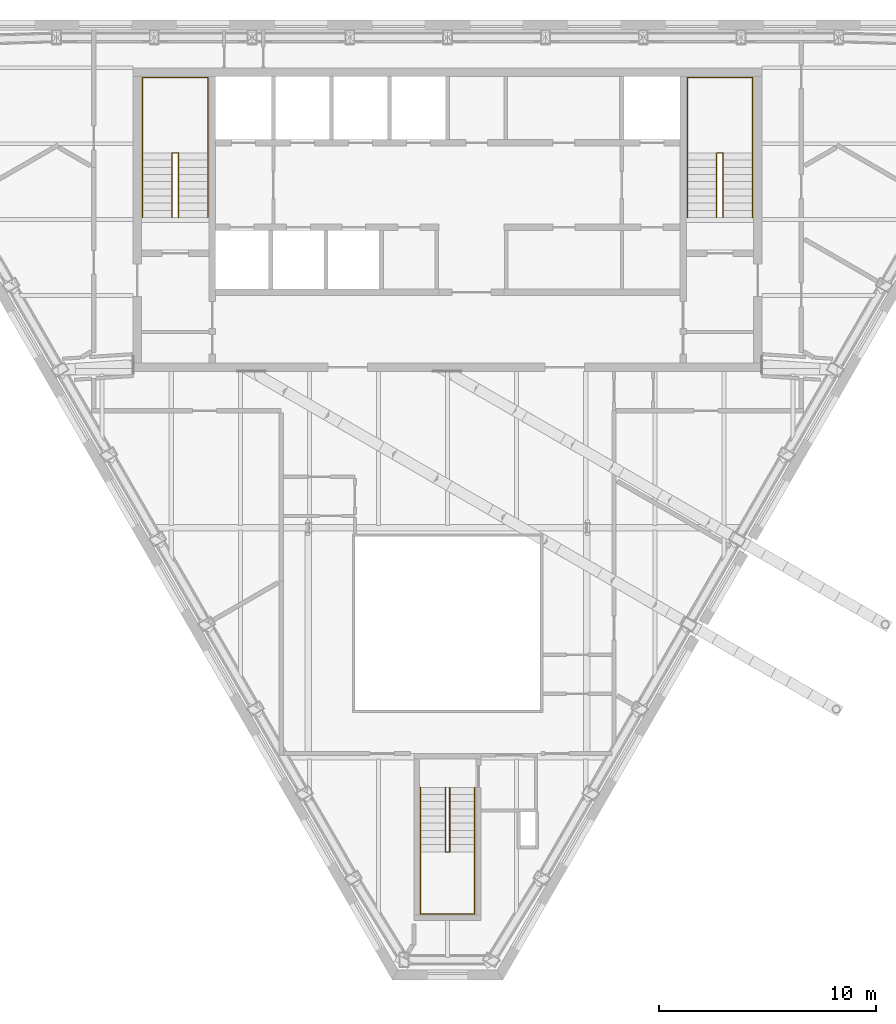
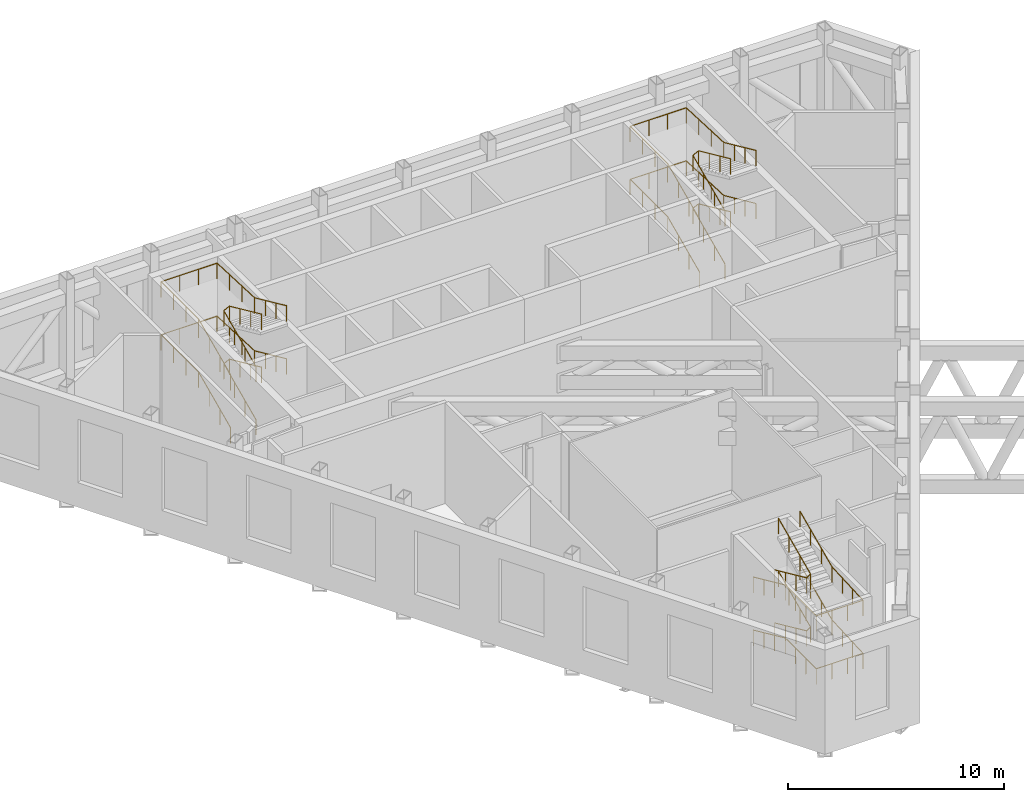
# One storey, part 14 of 14: 12 railings.
"""IFC4 building model written with IfcOpenShell, lengths in metres."""

from ifc_helpers import new_model, si_unit, direction, frame, origin, origin_2d, place, context, subcontext, project, spatial, circle, extrude, material, type_object, element, save


model = new_model("IFC4")

# Units and contexts
model_context = context("Model", 3, precision=1e-05, world=origin(), true_north=direction((0.0, 1.0)))
body_context = subcontext(model_context, "Body", "Model", "MODEL_VIEW")
ifc_project = project(units=[si_unit("LENGTHUNIT", "METRE"), si_unit("AREAUNIT", "SQUARE_METRE"), si_unit("VOLUMEUNIT", "CUBIC_METRE"), si_unit("PLANEANGLEUNIT", "RADIAN"), si_unit("MASSUNIT", "GRAM", prefix="KILO")], contexts=[model_context])

# Site, building, storey
site_placement = place(None, origin())
site = spatial("IfcSite", under=ifc_project, at=site_placement, CompositionType="ELEMENT")
building_placement = place(site_placement, origin())
building = spatial("IfcBuilding", under=site, at=building_placement, Name="Njiva Tower", CompositionType="ELEMENT")
storey_placement = place(building_placement, frame((0.0, 0.0, 292.2)))
storey = spatial("IfcBuildingStorey", under=building, at=storey_placement, Name="L67", CompositionType="ELEMENT", Elevation=292.2)

# Railings
ifc_material = material(Name="Stainless steel", Category="steel")
railing_type = type_object("IfcRailingType", Name="RL1 Stair handrail 900", PredefinedType="HANDRAIL", material=ifc_material)
railing_1_placement = place(storey_placement, frame((-14.05, 11.1, 0.15)))
element("IfcRailing", 1, at=railing_1_placement, inside=storey, type_object=railing_type, Name="Stair A handrail", PredefinedType="HANDRAIL", context=body_context, shape_type="SweptSolid", body=[
    extrude(circle(Radius=0.024, at=origin_2d()), frame((0.0, 0.0, 0.876), z_axis=(0.0, 0.910366477463, 0.413802944301), x_axis=(-1.0, 0.0, 0.0)), (0.0, 0.0, 1.0), 3.2624),
    extrude(circle(Radius=0.024, at=origin_2d()), frame((0.0, 2.97, 2.226), z_axis=(0.0, 1.0, 0.0), x_axis=(-1.0, 0.0, 0.0)), (0.0, 0.0, 1.0), 3.48),
    extrude(circle(Radius=0.024, at=origin_2d()), frame((0.0, 6.45, 2.226), z_axis=(1.0, 0.0, 0.0), x_axis=(0.0, 1.0, 0.0)), (0.0, 0.0, 1.0), 3.0),
    extrude(circle(Radius=0.024, at=origin_2d()), frame((3.0, 6.45, 2.226), z_axis=(0.0, -0.999072338805, 0.04306346288), x_axis=(1.0, 0.0, 0.0)), (0.0, 0.0, 1.0), 3.4832),
    extrude(circle(Radius=0.024, at=origin_2d()), frame((3.0, 2.97, 2.376), z_axis=(0.0, -0.910366477463, 0.413802944301), x_axis=(1.0, 0.0, 0.0)), (0.0, 0.0, 1.0), 3.2624),
    extrude(circle(Radius=0.021, at=origin_2d()), origin(), (0.0, 0.0, 1.0), 0.852),
    extrude(circle(Radius=0.021, at=origin_2d()), frame((0.0, 0.99, 0.45)), (0.0, 0.0, 1.0), 0.852),
    extrude(circle(Radius=0.021, at=origin_2d()), frame((0.0, 1.98, 0.9)), (0.0, 0.0, 1.0), 0.852),
    extrude(circle(Radius=0.021, at=origin_2d()), frame((0.0, 2.97, 1.35)), (0.0, 0.0, 1.0), 0.852),
    extrude(circle(Radius=0.021, at=origin_2d()), frame((0.0, 4.13, 1.35)), (0.0, 0.0, 1.0), 0.852),
    extrude(circle(Radius=0.021, at=origin_2d()), frame((0.0, 5.29, 1.35)), (0.0, 0.0, 1.0), 0.852),
    extrude(circle(Radius=0.021, at=origin_2d()), frame((0.0, 6.45, 1.35)), (0.0, 0.0, 1.0), 0.852),
    extrude(circle(Radius=0.021, at=origin_2d()), frame((1.0, 6.45, 1.35)), (0.0, 0.0, 1.0), 0.852),
    extrude(circle(Radius=0.021, at=origin_2d()), frame((2.0, 6.45, 1.35)), (0.0, 0.0, 1.0), 0.852),
    extrude(circle(Radius=0.021, at=origin_2d()), frame((3.0, 6.45, 1.35)), (0.0, 0.0, 1.0), 0.852),
    extrude(circle(Radius=0.021, at=origin_2d()), frame((3.0, 5.29, 1.4)), (0.0, 0.0, 1.0), 0.852),
    extrude(circle(Radius=0.021, at=origin_2d()), frame((3.0, 4.13, 1.45)), (0.0, 0.0, 1.0), 0.852),
    extrude(circle(Radius=0.021, at=origin_2d()), frame((3.0, 2.97, 1.5)), (0.0, 0.0, 1.0), 0.852),
    extrude(circle(Radius=0.021, at=origin_2d()), frame((3.0, 1.98, 1.95)), (0.0, 0.0, 1.0), 0.852),
    extrude(circle(Radius=0.021, at=origin_2d()), frame((3.0, 0.99, 2.4)), (0.0, 0.0, 1.0), 0.852),
    extrude(circle(Radius=0.021, at=origin_2d()), frame((3.0, 0.0, 2.85)), (0.0, 0.0, 1.0), 0.852),
])
railing_2_placement = place(storey_placement, frame((-12.7, 11.1, 0.15)))
element("IfcRailing", 2, at=railing_2_placement, inside=storey, type_object=railing_type, Name="Stair A handrail", PredefinedType="HANDRAIL", context=body_context, shape_type="SweptSolid", body=[
    extrude(circle(Radius=0.024, at=origin_2d()), frame((0.0, 0.0, 0.876), z_axis=(0.0, 0.910366477463, 0.413802944301), x_axis=(-1.0, 0.0, 0.0)), (0.0, 0.0, 1.0), 3.2624),
    extrude(circle(Radius=0.024, at=origin_2d()), frame((0.0, 2.97, 2.226), z_axis=(0.894427191, 0.0, 0.4472135955), x_axis=(0.0, 1.0, 0.0)), (0.0, 0.0, 1.0), 0.3354),
    extrude(circle(Radius=0.024, at=origin_2d()), frame((0.3, 2.97, 2.376), z_axis=(0.0, -0.910366477463, 0.413802944301), x_axis=(1.0, 0.0, 0.0)), (0.0, 0.0, 1.0), 3.2624),
    extrude(circle(Radius=0.021, at=origin_2d()), origin(), (0.0, 0.0, 1.0), 0.852),
    extrude(circle(Radius=0.021, at=origin_2d()), frame((0.0, 0.99, 0.45)), (0.0, 0.0, 1.0), 0.852),
    extrude(circle(Radius=0.021, at=origin_2d()), frame((0.0, 1.98, 0.9)), (0.0, 0.0, 1.0), 0.852),
    extrude(circle(Radius=0.021, at=origin_2d()), frame((0.0, 2.97, 1.35)), (0.0, 0.0, 1.0), 0.852),
    extrude(circle(Radius=0.021, at=origin_2d()), frame((0.3, 2.97, 1.5)), (0.0, 0.0, 1.0), 0.852),
    extrude(circle(Radius=0.021, at=origin_2d()), frame((0.3, 1.98, 1.95)), (0.0, 0.0, 1.0), 0.852),
    extrude(circle(Radius=0.021, at=origin_2d()), frame((0.3, 0.99, 2.4)), (0.0, 0.0, 1.0), 0.852),
    extrude(circle(Radius=0.021, at=origin_2d()), frame((0.3, 0.0, 2.85)), (0.0, 0.0, 1.0), 0.852),
])
railing_3_placement = place(storey_placement, frame((-14.05, 11.1, 3.15)))
element("IfcRailing", 3, at=railing_3_placement, inside=storey, type_object=railing_type, Name="Stair A handrail", PredefinedType="HANDRAIL", context=body_context, shape_type="SweptSolid", body=[
    extrude(circle(Radius=0.024, at=origin_2d()), frame((0.0, 0.0, 0.876), z_axis=(0.0, 0.910366477463, 0.413802944301), x_axis=(-1.0, 0.0, 0.0)), (0.0, 0.0, 1.0), 3.2624),
    extrude(circle(Radius=0.024, at=origin_2d()), frame((0.0, 2.97, 2.226), z_axis=(0.0, 1.0, 0.0), x_axis=(-1.0, 0.0, 0.0)), (0.0, 0.0, 1.0), 3.48),
    extrude(circle(Radius=0.024, at=origin_2d()), frame((0.0, 6.45, 2.226), z_axis=(1.0, 0.0, 0.0), x_axis=(0.0, 1.0, 0.0)), (0.0, 0.0, 1.0), 3.0),
    extrude(circle(Radius=0.024, at=origin_2d()), frame((3.0, 6.45, 2.226), z_axis=(0.0, -0.999072338805, 0.04306346288), x_axis=(1.0, 0.0, 0.0)), (0.0, 0.0, 1.0), 3.4832),
    extrude(circle(Radius=0.024, at=origin_2d()), frame((3.0, 2.97, 2.376), z_axis=(0.0, -0.910366477463, 0.413802944301), x_axis=(1.0, 0.0, 0.0)), (0.0, 0.0, 1.0), 3.2624),
    extrude(circle(Radius=0.021, at=origin_2d()), origin(), (0.0, 0.0, 1.0), 0.852),
    extrude(circle(Radius=0.021, at=origin_2d()), frame((0.0, 0.99, 0.45)), (0.0, 0.0, 1.0), 0.852),
    extrude(circle(Radius=0.021, at=origin_2d()), frame((0.0, 1.98, 0.9)), (0.0, 0.0, 1.0), 0.852),
    extrude(circle(Radius=0.021, at=origin_2d()), frame((0.0, 2.97, 1.35)), (0.0, 0.0, 1.0), 0.852),
    extrude(circle(Radius=0.021, at=origin_2d()), frame((0.0, 4.13, 1.35)), (0.0, 0.0, 1.0), 0.852),
    extrude(circle(Radius=0.021, at=origin_2d()), frame((0.0, 5.29, 1.35)), (0.0, 0.0, 1.0), 0.852),
    extrude(circle(Radius=0.021, at=origin_2d()), frame((0.0, 6.45, 1.35)), (0.0, 0.0, 1.0), 0.852),
    extrude(circle(Radius=0.021, at=origin_2d()), frame((1.0, 6.45, 1.35)), (0.0, 0.0, 1.0), 0.852),
    extrude(circle(Radius=0.021, at=origin_2d()), frame((2.0, 6.45, 1.35)), (0.0, 0.0, 1.0), 0.852),
    extrude(circle(Radius=0.021, at=origin_2d()), frame((3.0, 6.45, 1.35)), (0.0, 0.0, 1.0), 0.852),
    extrude(circle(Radius=0.021, at=origin_2d()), frame((3.0, 5.29, 1.4)), (0.0, 0.0, 1.0), 0.852),
    extrude(circle(Radius=0.021, at=origin_2d()), frame((3.0, 4.13, 1.45)), (0.0, 0.0, 1.0), 0.852),
    extrude(circle(Radius=0.021, at=origin_2d()), frame((3.0, 2.97, 1.5)), (0.0, 0.0, 1.0), 0.852),
    extrude(circle(Radius=0.021, at=origin_2d()), frame((3.0, 1.98, 1.95)), (0.0, 0.0, 1.0), 0.852),
    extrude(circle(Radius=0.021, at=origin_2d()), frame((3.0, 0.99, 2.4)), (0.0, 0.0, 1.0), 0.852),
    extrude(circle(Radius=0.021, at=origin_2d()), frame((3.0, 0.0, 2.85)), (0.0, 0.0, 1.0), 0.852),
])
railing_4_placement = place(storey_placement, frame((-12.7, 11.1, 3.15)))
element("IfcRailing", 4, at=railing_4_placement, inside=storey, type_object=railing_type, Name="Stair A handrail", PredefinedType="HANDRAIL", context=body_context, shape_type="SweptSolid", body=[
    extrude(circle(Radius=0.024, at=origin_2d()), frame((0.0, 0.0, 0.876), z_axis=(0.0, 0.910366477463, 0.413802944301), x_axis=(-1.0, 0.0, 0.0)), (0.0, 0.0, 1.0), 3.2624),
    extrude(circle(Radius=0.024, at=origin_2d()), frame((0.0, 2.97, 2.226), z_axis=(0.894427191, 0.0, 0.4472135955), x_axis=(0.0, 1.0, 0.0)), (0.0, 0.0, 1.0), 0.3354),
    extrude(circle(Radius=0.024, at=origin_2d()), frame((0.3, 2.97, 2.376), z_axis=(0.0, -0.910366477463, 0.413802944301), x_axis=(1.0, 0.0, 0.0)), (0.0, 0.0, 1.0), 3.2624),
    extrude(circle(Radius=0.021, at=origin_2d()), origin(), (0.0, 0.0, 1.0), 0.852),
    extrude(circle(Radius=0.021, at=origin_2d()), frame((0.0, 0.99, 0.45)), (0.0, 0.0, 1.0), 0.852),
    extrude(circle(Radius=0.021, at=origin_2d()), frame((0.0, 1.98, 0.9)), (0.0, 0.0, 1.0), 0.852),
    extrude(circle(Radius=0.021, at=origin_2d()), frame((0.0, 2.97, 1.35)), (0.0, 0.0, 1.0), 0.852),
    extrude(circle(Radius=0.021, at=origin_2d()), frame((0.3, 2.97, 1.5)), (0.0, 0.0, 1.0), 0.852),
    extrude(circle(Radius=0.021, at=origin_2d()), frame((0.3, 1.98, 1.95)), (0.0, 0.0, 1.0), 0.852),
    extrude(circle(Radius=0.021, at=origin_2d()), frame((0.3, 0.99, 2.4)), (0.0, 0.0, 1.0), 0.852),
    extrude(circle(Radius=0.021, at=origin_2d()), frame((0.3, 0.0, 2.85)), (0.0, 0.0, 1.0), 0.852),
])
railing_5_placement = place(storey_placement, frame((11.05, 11.1, 0.15)))
element("IfcRailing", 5, at=railing_5_placement, inside=storey, type_object=railing_type, Name="Stair B handrail", PredefinedType="HANDRAIL", context=body_context, shape_type="SweptSolid", body=[
    extrude(circle(Radius=0.024, at=origin_2d()), frame((0.0, 0.0, 0.876), z_axis=(0.0, 0.910366477463, 0.413802944301), x_axis=(-1.0, 0.0, 0.0)), (0.0, 0.0, 1.0), 3.2624),
    extrude(circle(Radius=0.024, at=origin_2d()), frame((0.0, 2.97, 2.226), z_axis=(0.0, 1.0, 0.0), x_axis=(-1.0, 0.0, 0.0)), (0.0, 0.0, 1.0), 3.48),
    extrude(circle(Radius=0.024, at=origin_2d()), frame((0.0, 6.45, 2.226), z_axis=(1.0, 0.0, 0.0), x_axis=(0.0, 1.0, 0.0)), (0.0, 0.0, 1.0), 3.0),
    extrude(circle(Radius=0.024, at=origin_2d()), frame((3.0, 6.45, 2.226), z_axis=(0.0, -0.999072338805, 0.04306346288), x_axis=(1.0, 0.0, 0.0)), (0.0, 0.0, 1.0), 3.4832),
    extrude(circle(Radius=0.024, at=origin_2d()), frame((3.0, 2.97, 2.376), z_axis=(0.0, -0.910366477463, 0.413802944301), x_axis=(1.0, 0.0, 0.0)), (0.0, 0.0, 1.0), 3.2624),
    extrude(circle(Radius=0.021, at=origin_2d()), origin(), (0.0, 0.0, 1.0), 0.852),
    extrude(circle(Radius=0.021, at=origin_2d()), frame((0.0, 0.99, 0.45)), (0.0, 0.0, 1.0), 0.852),
    extrude(circle(Radius=0.021, at=origin_2d()), frame((0.0, 1.98, 0.9)), (0.0, 0.0, 1.0), 0.852),
    extrude(circle(Radius=0.021, at=origin_2d()), frame((0.0, 2.97, 1.35)), (0.0, 0.0, 1.0), 0.852),
    extrude(circle(Radius=0.021, at=origin_2d()), frame((0.0, 4.13, 1.35)), (0.0, 0.0, 1.0), 0.852),
    extrude(circle(Radius=0.021, at=origin_2d()), frame((0.0, 5.29, 1.35)), (0.0, 0.0, 1.0), 0.852),
    extrude(circle(Radius=0.021, at=origin_2d()), frame((0.0, 6.45, 1.35)), (0.0, 0.0, 1.0), 0.852),
    extrude(circle(Radius=0.021, at=origin_2d()), frame((1.0, 6.45, 1.35)), (0.0, 0.0, 1.0), 0.852),
    extrude(circle(Radius=0.021, at=origin_2d()), frame((2.0, 6.45, 1.35)), (0.0, 0.0, 1.0), 0.852),
    extrude(circle(Radius=0.021, at=origin_2d()), frame((3.0, 6.45, 1.35)), (0.0, 0.0, 1.0), 0.852),
    extrude(circle(Radius=0.021, at=origin_2d()), frame((3.0, 5.29, 1.4)), (0.0, 0.0, 1.0), 0.852),
    extrude(circle(Radius=0.021, at=origin_2d()), frame((3.0, 4.13, 1.45)), (0.0, 0.0, 1.0), 0.852),
    extrude(circle(Radius=0.021, at=origin_2d()), frame((3.0, 2.97, 1.5)), (0.0, 0.0, 1.0), 0.852),
    extrude(circle(Radius=0.021, at=origin_2d()), frame((3.0, 1.98, 1.95)), (0.0, 0.0, 1.0), 0.852),
    extrude(circle(Radius=0.021, at=origin_2d()), frame((3.0, 0.99, 2.4)), (0.0, 0.0, 1.0), 0.852),
    extrude(circle(Radius=0.021, at=origin_2d()), frame((3.0, 0.0, 2.85)), (0.0, 0.0, 1.0), 0.852),
])
railing_6_placement = place(storey_placement, frame((12.4, 11.1, 0.15)))
element("IfcRailing", 6, at=railing_6_placement, inside=storey, type_object=railing_type, Name="Stair B handrail", PredefinedType="HANDRAIL", context=body_context, shape_type="SweptSolid", body=[
    extrude(circle(Radius=0.024, at=origin_2d()), frame((0.0, 0.0, 0.876), z_axis=(0.0, 0.910366477463, 0.413802944301), x_axis=(-1.0, 0.0, 0.0)), (0.0, 0.0, 1.0), 3.2624),
    extrude(circle(Radius=0.024, at=origin_2d()), frame((0.0, 2.97, 2.226), z_axis=(0.894427191, 0.0, 0.4472135955), x_axis=(0.0, 1.0, 0.0)), (0.0, 0.0, 1.0), 0.3354),
    extrude(circle(Radius=0.024, at=origin_2d()), frame((0.3, 2.97, 2.376), z_axis=(0.0, -0.910366477463, 0.413802944301), x_axis=(1.0, 0.0, 0.0)), (0.0, 0.0, 1.0), 3.2624),
    extrude(circle(Radius=0.021, at=origin_2d()), origin(), (0.0, 0.0, 1.0), 0.852),
    extrude(circle(Radius=0.021, at=origin_2d()), frame((0.0, 0.99, 0.45)), (0.0, 0.0, 1.0), 0.852),
    extrude(circle(Radius=0.021, at=origin_2d()), frame((0.0, 1.98, 0.9)), (0.0, 0.0, 1.0), 0.852),
    extrude(circle(Radius=0.021, at=origin_2d()), frame((0.0, 2.97, 1.35)), (0.0, 0.0, 1.0), 0.852),
    extrude(circle(Radius=0.021, at=origin_2d()), frame((0.3, 2.97, 1.5)), (0.0, 0.0, 1.0), 0.852),
    extrude(circle(Radius=0.021, at=origin_2d()), frame((0.3, 1.98, 1.95)), (0.0, 0.0, 1.0), 0.852),
    extrude(circle(Radius=0.021, at=origin_2d()), frame((0.3, 0.99, 2.4)), (0.0, 0.0, 1.0), 0.852),
    extrude(circle(Radius=0.021, at=origin_2d()), frame((0.3, 0.0, 2.85)), (0.0, 0.0, 1.0), 0.852),
])
railing_7_placement = place(storey_placement, frame((11.05, 11.1, 3.15)))
element("IfcRailing", 7, at=railing_7_placement, inside=storey, type_object=railing_type, Name="Stair B handrail", PredefinedType="HANDRAIL", context=body_context, shape_type="SweptSolid", body=[
    extrude(circle(Radius=0.024, at=origin_2d()), frame((0.0, 0.0, 0.876), z_axis=(0.0, 0.910366477463, 0.413802944301), x_axis=(-1.0, 0.0, 0.0)), (0.0, 0.0, 1.0), 3.2624),
    extrude(circle(Radius=0.024, at=origin_2d()), frame((0.0, 2.97, 2.226), z_axis=(0.0, 1.0, 0.0), x_axis=(-1.0, 0.0, 0.0)), (0.0, 0.0, 1.0), 3.48),
    extrude(circle(Radius=0.024, at=origin_2d()), frame((0.0, 6.45, 2.226), z_axis=(1.0, 0.0, 0.0), x_axis=(0.0, 1.0, 0.0)), (0.0, 0.0, 1.0), 3.0),
    extrude(circle(Radius=0.024, at=origin_2d()), frame((3.0, 6.45, 2.226), z_axis=(0.0, -0.999072338805, 0.04306346288), x_axis=(1.0, 0.0, 0.0)), (0.0, 0.0, 1.0), 3.4832),
    extrude(circle(Radius=0.024, at=origin_2d()), frame((3.0, 2.97, 2.376), z_axis=(0.0, -0.910366477463, 0.413802944301), x_axis=(1.0, 0.0, 0.0)), (0.0, 0.0, 1.0), 3.2624),
    extrude(circle(Radius=0.021, at=origin_2d()), origin(), (0.0, 0.0, 1.0), 0.852),
    extrude(circle(Radius=0.021, at=origin_2d()), frame((0.0, 0.99, 0.45)), (0.0, 0.0, 1.0), 0.852),
    extrude(circle(Radius=0.021, at=origin_2d()), frame((0.0, 1.98, 0.9)), (0.0, 0.0, 1.0), 0.852),
    extrude(circle(Radius=0.021, at=origin_2d()), frame((0.0, 2.97, 1.35)), (0.0, 0.0, 1.0), 0.852),
    extrude(circle(Radius=0.021, at=origin_2d()), frame((0.0, 4.13, 1.35)), (0.0, 0.0, 1.0), 0.852),
    extrude(circle(Radius=0.021, at=origin_2d()), frame((0.0, 5.29, 1.35)), (0.0, 0.0, 1.0), 0.852),
    extrude(circle(Radius=0.021, at=origin_2d()), frame((0.0, 6.45, 1.35)), (0.0, 0.0, 1.0), 0.852),
    extrude(circle(Radius=0.021, at=origin_2d()), frame((1.0, 6.45, 1.35)), (0.0, 0.0, 1.0), 0.852),
    extrude(circle(Radius=0.021, at=origin_2d()), frame((2.0, 6.45, 1.35)), (0.0, 0.0, 1.0), 0.852),
    extrude(circle(Radius=0.021, at=origin_2d()), frame((3.0, 6.45, 1.35)), (0.0, 0.0, 1.0), 0.852),
    extrude(circle(Radius=0.021, at=origin_2d()), frame((3.0, 5.29, 1.4)), (0.0, 0.0, 1.0), 0.852),
    extrude(circle(Radius=0.021, at=origin_2d()), frame((3.0, 4.13, 1.45)), (0.0, 0.0, 1.0), 0.852),
    extrude(circle(Radius=0.021, at=origin_2d()), frame((3.0, 2.97, 1.5)), (0.0, 0.0, 1.0), 0.852),
    extrude(circle(Radius=0.021, at=origin_2d()), frame((3.0, 1.98, 1.95)), (0.0, 0.0, 1.0), 0.852),
    extrude(circle(Radius=0.021, at=origin_2d()), frame((3.0, 0.99, 2.4)), (0.0, 0.0, 1.0), 0.852),
    extrude(circle(Radius=0.021, at=origin_2d()), frame((3.0, 0.0, 2.85)), (0.0, 0.0, 1.0), 0.852),
])
railing_8_placement = place(storey_placement, frame((12.4, 11.1, 3.15)))
element("IfcRailing", 8, at=railing_8_placement, inside=storey, type_object=railing_type, Name="Stair B handrail", PredefinedType="HANDRAIL", context=body_context, shape_type="SweptSolid", body=[
    extrude(circle(Radius=0.024, at=origin_2d()), frame((0.0, 0.0, 0.876), z_axis=(0.0, 0.910366477463, 0.413802944301), x_axis=(-1.0, 0.0, 0.0)), (0.0, 0.0, 1.0), 3.2624),
    extrude(circle(Radius=0.024, at=origin_2d()), frame((0.0, 2.97, 2.226), z_axis=(0.894427191, 0.0, 0.4472135955), x_axis=(0.0, 1.0, 0.0)), (0.0, 0.0, 1.0), 0.3354),
    extrude(circle(Radius=0.024, at=origin_2d()), frame((0.3, 2.97, 2.376), z_axis=(0.0, -0.910366477463, 0.413802944301), x_axis=(1.0, 0.0, 0.0)), (0.0, 0.0, 1.0), 3.2624),
    extrude(circle(Radius=0.021, at=origin_2d()), origin(), (0.0, 0.0, 1.0), 0.852),
    extrude(circle(Radius=0.021, at=origin_2d()), frame((0.0, 0.99, 0.45)), (0.0, 0.0, 1.0), 0.852),
    extrude(circle(Radius=0.021, at=origin_2d()), frame((0.0, 1.98, 0.9)), (0.0, 0.0, 1.0), 0.852),
    extrude(circle(Radius=0.021, at=origin_2d()), frame((0.0, 2.97, 1.35)), (0.0, 0.0, 1.0), 0.852),
    extrude(circle(Radius=0.021, at=origin_2d()), frame((0.3, 2.97, 1.5)), (0.0, 0.0, 1.0), 0.852),
    extrude(circle(Radius=0.021, at=origin_2d()), frame((0.3, 1.98, 1.95)), (0.0, 0.0, 1.0), 0.852),
    extrude(circle(Radius=0.021, at=origin_2d()), frame((0.3, 0.99, 2.4)), (0.0, 0.0, 1.0), 0.852),
    extrude(circle(Radius=0.021, at=origin_2d()), frame((0.3, 0.0, 2.85)), (0.0, 0.0, 1.0), 0.852),
])
railing_9_placement = place(storey_placement, frame((-1.25, -15.16, 0.15)))
element("IfcRailing", 9, at=railing_9_placement, inside=storey, type_object=railing_type, Name="Stair C handrail", PredefinedType="HANDRAIL", context=body_context, shape_type="SweptSolid", body=[
    extrude(circle(Radius=0.024, at=origin_2d()), frame((0.0, 0.0, 0.876), z_axis=(0.0, -0.910366477463, 0.413802944301), x_axis=(1.0, 0.0, 0.0)), (0.0, 0.0, 1.0), 3.2624),
    extrude(circle(Radius=0.024, at=origin_2d()), frame((0.0, -2.97, 2.226), z_axis=(0.0, -1.0, 0.0), x_axis=(1.0, 0.0, 0.0)), (0.0, 0.0, 1.0), 2.87),
    extrude(circle(Radius=0.024, at=origin_2d()), frame((0.0, -5.84, 2.226), z_axis=(1.0, 0.0, 0.0), x_axis=(0.0, 1.0, 0.0)), (0.0, 0.0, 1.0), 2.5),
    extrude(circle(Radius=0.024, at=origin_2d()), frame((2.5, -5.84, 2.226), z_axis=(0.0, 0.998636986684, 0.052193570733), x_axis=(-1.0, 0.0, 0.0)), (0.0, 0.0, 1.0), 2.8739),
    extrude(circle(Radius=0.024, at=origin_2d()), frame((2.5, -2.97, 2.376), z_axis=(0.0, 0.910366477463, 0.413802944301), x_axis=(-1.0, 0.0, 0.0)), (0.0, 0.0, 1.0), 3.2624),
    extrude(circle(Radius=0.021, at=origin_2d()), origin(), (0.0, 0.0, 1.0), 0.852),
    extrude(circle(Radius=0.021, at=origin_2d()), frame((0.0, -0.99, 0.45)), (0.0, 0.0, 1.0), 0.852),
    extrude(circle(Radius=0.021, at=origin_2d()), frame((0.0, -1.98, 0.9)), (0.0, 0.0, 1.0), 0.852),
    extrude(circle(Radius=0.021, at=origin_2d()), frame((0.0, -2.97, 1.35)), (0.0, 0.0, 1.0), 0.852),
    extrude(circle(Radius=0.021, at=origin_2d()), frame((0.0, -3.9267, 1.35)), (0.0, 0.0, 1.0), 0.852),
    extrude(circle(Radius=0.021, at=origin_2d()), frame((0.0, -4.8833, 1.35)), (0.0, 0.0, 1.0), 0.852),
    extrude(circle(Radius=0.021, at=origin_2d()), frame((0.0, -5.84, 1.35)), (0.0, 0.0, 1.0), 0.852),
    extrude(circle(Radius=0.021, at=origin_2d()), frame((0.8333, -5.84, 1.35)), (0.0, 0.0, 1.0), 0.852),
    extrude(circle(Radius=0.021, at=origin_2d()), frame((1.6667, -5.84, 1.35)), (0.0, 0.0, 1.0), 0.852),
    extrude(circle(Radius=0.021, at=origin_2d()), frame((2.5, -5.84, 1.35)), (0.0, 0.0, 1.0), 0.852),
    extrude(circle(Radius=0.021, at=origin_2d()), frame((2.5, -4.8833, 1.4)), (0.0, 0.0, 1.0), 0.852),
    extrude(circle(Radius=0.021, at=origin_2d()), frame((2.5, -3.9267, 1.45)), (0.0, 0.0, 1.0), 0.852),
    extrude(circle(Radius=0.021, at=origin_2d()), frame((2.5, -2.97, 1.5)), (0.0, 0.0, 1.0), 0.852),
    extrude(circle(Radius=0.021, at=origin_2d()), frame((2.5, -1.98, 1.95)), (0.0, 0.0, 1.0), 0.852),
    extrude(circle(Radius=0.021, at=origin_2d()), frame((2.5, -0.99, 2.4)), (0.0, 0.0, 1.0), 0.852),
    extrude(circle(Radius=0.021, at=origin_2d()), frame((2.5, 0.0, 2.85)), (0.0, 0.0, 1.0), 0.852),
])
railing_10_placement = place(storey_placement, frame((-0.1, -15.16, 0.15)))
element("IfcRailing", 10, at=railing_10_placement, inside=storey, type_object=railing_type, Name="Stair C handrail", PredefinedType="HANDRAIL", context=body_context, shape_type="SweptSolid", body=[
    extrude(circle(Radius=0.024, at=origin_2d()), frame((0.0, 0.0, 0.876), z_axis=(0.0, -0.910366477463, 0.413802944301), x_axis=(1.0, 0.0, 0.0)), (0.0, 0.0, 1.0), 3.2624),
    extrude(circle(Radius=0.024, at=origin_2d()), frame((0.0, -2.97, 2.226), z_axis=(0.8, 0.0, 0.6), x_axis=(0.0, 1.0, 0.0)), (0.0, 0.0, 1.0), 0.25),
    extrude(circle(Radius=0.024, at=origin_2d()), frame((0.2, -2.97, 2.376), z_axis=(0.0, 0.910366477463, 0.413802944301), x_axis=(-1.0, 0.0, 0.0)), (0.0, 0.0, 1.0), 3.2624),
    extrude(circle(Radius=0.021, at=origin_2d()), origin(), (0.0, 0.0, 1.0), 0.852),
    extrude(circle(Radius=0.021, at=origin_2d()), frame((0.0, -0.99, 0.45)), (0.0, 0.0, 1.0), 0.852),
    extrude(circle(Radius=0.021, at=origin_2d()), frame((0.0, -1.98, 0.9)), (0.0, 0.0, 1.0), 0.852),
    extrude(circle(Radius=0.021, at=origin_2d()), frame((0.0, -2.97, 1.35)), (0.0, 0.0, 1.0), 0.852),
    extrude(circle(Radius=0.021, at=origin_2d()), frame((0.2, -2.97, 1.5)), (0.0, 0.0, 1.0), 0.852),
    extrude(circle(Radius=0.021, at=origin_2d()), frame((0.2, -1.98, 1.95)), (0.0, 0.0, 1.0), 0.852),
    extrude(circle(Radius=0.021, at=origin_2d()), frame((0.2, -0.99, 2.4)), (0.0, 0.0, 1.0), 0.852),
    extrude(circle(Radius=0.021, at=origin_2d()), frame((0.2, 0.0, 2.85)), (0.0, 0.0, 1.0), 0.852),
])
railing_11_placement = place(storey_placement, frame((-1.25, -15.16, 3.15)))
element("IfcRailing", 11, at=railing_11_placement, inside=storey, type_object=railing_type, Name="Stair C handrail", PredefinedType="HANDRAIL", context=body_context, shape_type="SweptSolid", body=[
    extrude(circle(Radius=0.024, at=origin_2d()), frame((0.0, 0.0, 0.876), z_axis=(0.0, -0.910366477463, 0.413802944301), x_axis=(1.0, 0.0, 0.0)), (0.0, 0.0, 1.0), 3.2624),
    extrude(circle(Radius=0.024, at=origin_2d()), frame((0.0, -2.97, 2.226), z_axis=(0.0, -1.0, 0.0), x_axis=(1.0, 0.0, 0.0)), (0.0, 0.0, 1.0), 2.87),
    extrude(circle(Radius=0.024, at=origin_2d()), frame((0.0, -5.84, 2.226), z_axis=(1.0, 0.0, 0.0), x_axis=(0.0, 1.0, 0.0)), (0.0, 0.0, 1.0), 2.5),
    extrude(circle(Radius=0.024, at=origin_2d()), frame((2.5, -5.84, 2.226), z_axis=(0.0, 0.998636986684, 0.052193570733), x_axis=(-1.0, 0.0, 0.0)), (0.0, 0.0, 1.0), 2.8739),
    extrude(circle(Radius=0.024, at=origin_2d()), frame((2.5, -2.97, 2.376), z_axis=(0.0, 0.910366477463, 0.413802944301), x_axis=(-1.0, 0.0, 0.0)), (0.0, 0.0, 1.0), 3.2624),
    extrude(circle(Radius=0.021, at=origin_2d()), origin(), (0.0, 0.0, 1.0), 0.852),
    extrude(circle(Radius=0.021, at=origin_2d()), frame((0.0, -0.99, 0.45)), (0.0, 0.0, 1.0), 0.852),
    extrude(circle(Radius=0.021, at=origin_2d()), frame((0.0, -1.98, 0.9)), (0.0, 0.0, 1.0), 0.852),
    extrude(circle(Radius=0.021, at=origin_2d()), frame((0.0, -2.97, 1.35)), (0.0, 0.0, 1.0), 0.852),
    extrude(circle(Radius=0.021, at=origin_2d()), frame((0.0, -3.9267, 1.35)), (0.0, 0.0, 1.0), 0.852),
    extrude(circle(Radius=0.021, at=origin_2d()), frame((0.0, -4.8833, 1.35)), (0.0, 0.0, 1.0), 0.852),
    extrude(circle(Radius=0.021, at=origin_2d()), frame((0.0, -5.84, 1.35)), (0.0, 0.0, 1.0), 0.852),
    extrude(circle(Radius=0.021, at=origin_2d()), frame((0.8333, -5.84, 1.35)), (0.0, 0.0, 1.0), 0.852),
    extrude(circle(Radius=0.021, at=origin_2d()), frame((1.6667, -5.84, 1.35)), (0.0, 0.0, 1.0), 0.852),
    extrude(circle(Radius=0.021, at=origin_2d()), frame((2.5, -5.84, 1.35)), (0.0, 0.0, 1.0), 0.852),
    extrude(circle(Radius=0.021, at=origin_2d()), frame((2.5, -4.8833, 1.4)), (0.0, 0.0, 1.0), 0.852),
    extrude(circle(Radius=0.021, at=origin_2d()), frame((2.5, -3.9267, 1.45)), (0.0, 0.0, 1.0), 0.852),
    extrude(circle(Radius=0.021, at=origin_2d()), frame((2.5, -2.97, 1.5)), (0.0, 0.0, 1.0), 0.852),
    extrude(circle(Radius=0.021, at=origin_2d()), frame((2.5, -1.98, 1.95)), (0.0, 0.0, 1.0), 0.852),
    extrude(circle(Radius=0.021, at=origin_2d()), frame((2.5, -0.99, 2.4)), (0.0, 0.0, 1.0), 0.852),
    extrude(circle(Radius=0.021, at=origin_2d()), frame((2.5, 0.0, 2.85)), (0.0, 0.0, 1.0), 0.852),
])
railing_12_placement = place(storey_placement, frame((-0.1, -15.16, 3.15)))
element("IfcRailing", 12, at=railing_12_placement, inside=storey, type_object=railing_type, Name="Stair C handrail", PredefinedType="HANDRAIL", context=body_context, shape_type="SweptSolid", body=[
    extrude(circle(Radius=0.024, at=origin_2d()), frame((0.0, 0.0, 0.876), z_axis=(0.0, -0.910366477463, 0.413802944301), x_axis=(1.0, 0.0, 0.0)), (0.0, 0.0, 1.0), 3.2624),
    extrude(circle(Radius=0.024, at=origin_2d()), frame((0.0, -2.97, 2.226), z_axis=(0.8, 0.0, 0.6), x_axis=(0.0, 1.0, 0.0)), (0.0, 0.0, 1.0), 0.25),
    extrude(circle(Radius=0.024, at=origin_2d()), frame((0.2, -2.97, 2.376), z_axis=(0.0, 0.910366477463, 0.413802944301), x_axis=(-1.0, 0.0, 0.0)), (0.0, 0.0, 1.0), 3.2624),
    extrude(circle(Radius=0.021, at=origin_2d()), origin(), (0.0, 0.0, 1.0), 0.852),
    extrude(circle(Radius=0.021, at=origin_2d()), frame((0.0, -0.99, 0.45)), (0.0, 0.0, 1.0), 0.852),
    extrude(circle(Radius=0.021, at=origin_2d()), frame((0.0, -1.98, 0.9)), (0.0, 0.0, 1.0), 0.852),
    extrude(circle(Radius=0.021, at=origin_2d()), frame((0.0, -2.97, 1.35)), (0.0, 0.0, 1.0), 0.852),
    extrude(circle(Radius=0.021, at=origin_2d()), frame((0.2, -2.97, 1.5)), (0.0, 0.0, 1.0), 0.852),
    extrude(circle(Radius=0.021, at=origin_2d()), frame((0.2, -1.98, 1.95)), (0.0, 0.0, 1.0), 0.852),
    extrude(circle(Radius=0.021, at=origin_2d()), frame((0.2, -0.99, 2.4)), (0.0, 0.0, 1.0), 0.852),
    extrude(circle(Radius=0.021, at=origin_2d()), frame((0.2, 0.0, 2.85)), (0.0, 0.0, 1.0), 0.852),
])

save(model, "model.ifc")
